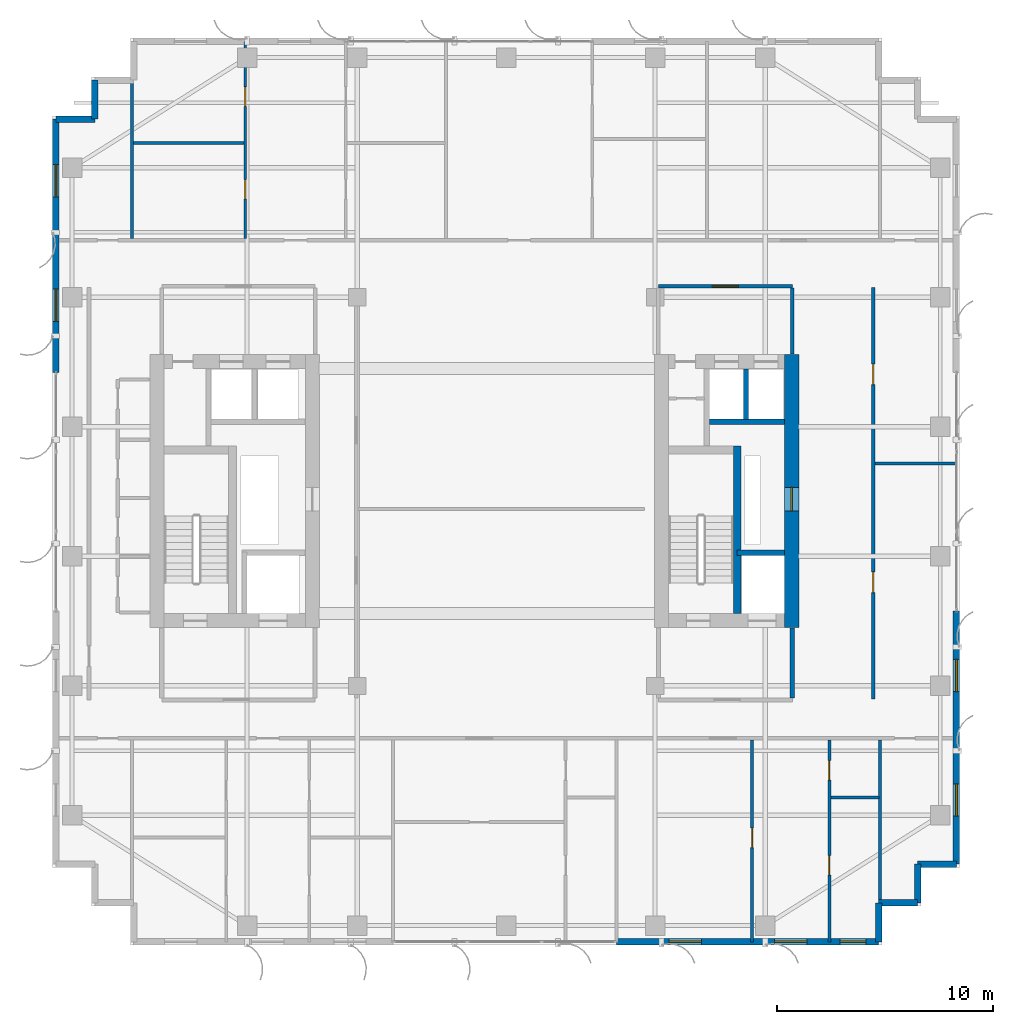
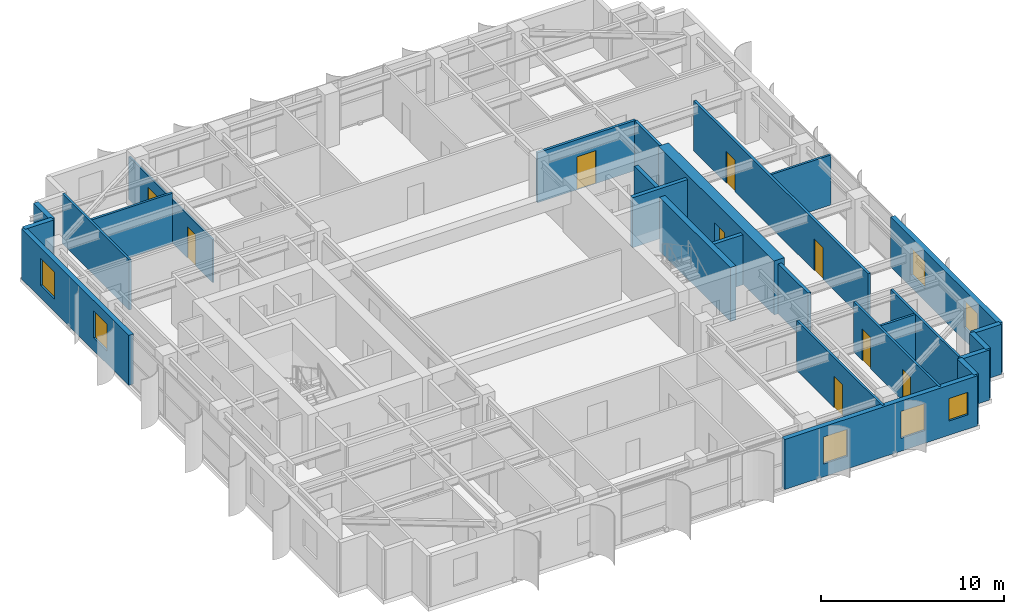
# One storey, part 17 of 22: 26 walls, 9 doors, 7 windows, 16 openings.
"""IFC4 building model written with IfcOpenShell, lengths in metres."""

from ifc_helpers import new_model, si_unit, direction, frame, frame_2d, origin, place, context, subcontext, project, spatial, rectangle, extrude, source, transform, mapped, material, layer, layer_set, type_object, element, fill, save


model = new_model("IFC4")

# Units and contexts
model_context = context("Model", 3, precision=1e-05, world=origin(), true_north=direction((0.0, 1.0)))
body_context = subcontext(model_context, "Body", "Model", "MODEL_VIEW")
ifc_project = project(units=[si_unit("LENGTHUNIT", "METRE"), si_unit("AREAUNIT", "SQUARE_METRE"), si_unit("VOLUMEUNIT", "CUBIC_METRE"), si_unit("PLANEANGLEUNIT", "RADIAN"), si_unit("MASSUNIT", "GRAM", prefix="KILO")], contexts=[model_context])

# Site, building, storey
site_placement = place(None, origin())
site = spatial("IfcSite", under=ifc_project, at=site_placement, CompositionType="ELEMENT")
building_placement = place(site_placement, origin())
building = spatial("IfcBuilding", under=site, at=building_placement, Name="Khoralis Quay Care Tower", CompositionType="ELEMENT")
storey_placement = place(building_placement, frame((0.0, 0.0, 180.89990234375)))
storey = spatial("IfcBuildingStorey", under=building, at=storey_placement, Name="L47", CompositionType="ELEMENT", Elevation=180.89990234375)

# Wall
ifc_material_1 = material(Name="Gypsum plasterboard on acoustic metal stud")
ifc_layer_1 = layer(ifc_material_1, 0.199951171875)
ifc_layer_set_1 = layer_set([ifc_layer_1], Name="Gypsum plasterboard on acoustic metal stud")
wall_type_1 = type_object("IfcWallType", Name="WL-COMP-200", PredefinedType="PARTITIONING", material=ifc_layer_set_1)
wall_1_placement = place(storey_placement, frame((37.25, 11.445068359375, 0.0), z_axis=(0.0, 0.0, 1.0), x_axis=(0.0, 1.0, 0.0)))
element("IfcWall", 1, at=wall_1_placement, inside=storey, type_object=wall_type_1, Name="L47 East Firefighting Lobby East Wall", PredefinedType="PARTITIONING", context=body_context, shape_type="SweptSolid", body=[
    extrude(rectangle(XDim=3.23486328125, YDim=0.199951171875, at=frame_2d((1.617431640625, 0.0))), origin(), (0.0, 0.0, 1.0), 3.340087890625),
])

# Wall, opening, door
ifc_material_2 = material(Name="Concrete C65/80", Category="concrete")
ifc_layer_2 = layer(ifc_material_2, 0.64990234375)
ifc_layer_set_2 = layer_set([ifc_layer_2], Name="Concrete C65/80")
wall_type_2 = type_object("IfcWallType", Name="WL-CORE-650", PredefinedType="SHEAR", material=ifc_layer_set_2)
wall_2_placement = place(storey_placement, frame((37.22509765625, 14.699951171875, 0.0), z_axis=(0.0, 0.0, 1.0), x_axis=(0.0, 1.0, 0.0)))
wall_2 = element("IfcWall", 2, at=wall_2_placement, inside=storey, type_object=wall_type_2, Name="L47 ECORE East Shear Wall", PredefinedType="SHEAR", context=body_context, shape_type="SweptSolid", body=[
    extrude(rectangle(XDim=12.650146484375, YDim=0.64990234375, at=frame_2d((6.3251953125, 0.0))), origin(), (0.0, 0.0, 1.0), 3.60009765625),
])
opening_1_placement = place(wall_2_placement, frame((5.39990234375, 0.0, 0.0)))
opening_1 = element("IfcOpeningElement", 3, at=opening_1_placement, cuts=wall_2, Name="Opening SD1", PredefinedType="OPENING", context=body_context, shape_type="SweptSolid", body=[
    extrude(rectangle(XDim=1.10009765625, YDim=2.199951171875, at=frame_2d((0.550048828125, 1.10009765625))), frame((0.0, 0.3349609375, 0.0), z_axis=(0.0, -1.0, 0.0), x_axis=(1.0, 0.0, 0.0)), (0.0, 0.0, 1.0), 0.669921875),
])
ifc_material_3 = material(Name="Fire-rated painted steel", Category="steel")
door_type_1 = type_object("IfcDoorType", Name="DR-STAIR-1100X2200", OperationType="NOTDEFINED", PredefinedType="DOOR", material=ifc_material_3)
shared_shape_1 = source(origin(), body_context, "Body", "SweptSolid", [
    extrude(rectangle(XDim=1.10009765625, YDim=2.199951171875, at=frame_2d((0.550048828125, 1.10009765625))), frame((0.0, 0.02490234375, 0.0), z_axis=(0.0, -1.0, 0.0), x_axis=(1.0, 0.0, 0.0)), (0.0, 0.0, 1.0), 0.050048828125),
])
door_1_placement = place(opening_1_placement, frame((1.10009765625, 0.0, 0.0), z_axis=(0.0, 0.0, 1.0), x_axis=(-1.0, 0.0, 0.0)))
door_1 = element("IfcDoor", 4, at=door_1_placement, inside=storey, type_object=door_type_1, Name="L47 East MEP Riser Door", OperationType="SINGLE_SWING_RIGHT", OverallHeight=2.199951171875, OverallWidth=1.10009765625, PredefinedType="DOOR", context=body_context, shape_type="MappedRepresentation", body=[
    mapped(shared_shape_1, transform((0.0, 0.0, 0.0), scale=1.0)),
])
fill(opening_1, door_1)

ifc_layer_3 = layer(ifc_material_1, 0.1650390625)
ifc_layer_set_3 = layer_set([ifc_layer_3], Name="Gypsum plasterboard on acoustic metal stud")
wall_type_3 = type_object("IfcWallType", Name="WL-CORR-165", PredefinedType="PARTITIONING", material=ifc_layer_set_3)
wall_3_placement = place(storey_placement, frame((31.050048828125, 30.5, 0.0), z_axis=(0.0, 0.0, 1.0), x_axis=(1.0, 0.0, 0.0)))
wall_3 = element("IfcWall", 5, at=wall_3_placement, inside=storey, type_object=wall_type_3, Name="L47 East Lift Lobby North Wall", PredefinedType="PARTITIONING", context=body_context, shape_type="SweptSolid", body=[
    extrude(rectangle(XDim=6.199951171875, YDim=0.1650390625, at=frame_2d((3.10009765625, 0.0))), origin(), (0.0, 0.0, 1.0), 3.340087890625),
])
opening_2_placement = place(wall_3_placement, frame((2.5, 0.0, 0.0)))
opening_2 = element("IfcOpeningElement", 6, at=opening_2_placement, cuts=wall_3, Name="Opening FD1", PredefinedType="OPENING", context=body_context, shape_type="SweptSolid", body=[
    extrude(rectangle(XDim=1.199951171875, YDim=2.199951171875, at=frame_2d((0.60009765625, 1.10009765625))), frame((0.0, 0.092529296875, 0.0), z_axis=(0.0, -1.0, 0.0), x_axis=(1.0, 0.0, 0.0)), (0.0, 0.0, 1.0), 0.18505859375),
])
door_type_2 = type_object("IfcDoorType", Name="DR-FFL-1200X2200", OperationType="NOTDEFINED", PredefinedType="DOOR", material=ifc_material_3)
shared_shape_2 = source(origin(), body_context, "Body", "SweptSolid", [
    extrude(rectangle(XDim=1.199951171875, YDim=2.199951171875, at=frame_2d((0.60009765625, 1.10009765625))), frame((0.0, 0.02490234375, 0.0), z_axis=(0.0, -1.0, 0.0), x_axis=(1.0, 0.0, 0.0)), (0.0, 0.0, 1.0), 0.050048828125),
])
door_2_placement = place(opening_2_placement, origin())
door_2 = element("IfcDoor", 7, at=door_2_placement, inside=storey, type_object=door_type_2, Name="L47 East Lift Lobby Double Door", OperationType="DOUBLE_DOOR_SINGLE_SWING", OverallHeight=2.199951171875, OverallWidth=1.199951171875, PredefinedType="DOOR", context=body_context, shape_type="MappedRepresentation", body=[
    mapped(shared_shape_2, transform((0.0, 0.0, 0.0), scale=1.0)),
])
fill(opening_2, door_2)

# Wall
wall_4_placement = place(storey_placement, frame((37.25, 27.3701171875, 0.0), z_axis=(0.0, 0.0, 1.0), x_axis=(0.0, 1.0, 0.0)))
element("IfcWall", 8, at=wall_4_placement, inside=storey, type_object=wall_type_3, Name="L47 East Lift Lobby East Wall", PredefinedType="PARTITIONING", context=body_context, shape_type="SweptSolid", body=[
    extrude(rectangle(XDim=3.052490234375, YDim=0.1650390625, at=frame_2d((1.5263671875, 0.0))), origin(), (0.0, 0.0, 1.0), 3.340087890625),
])

# Wall, openings, doors
wall_5_placement = place(storey_placement, frame((41.0, 11.39990234375, 0.0), z_axis=(0.0, 0.0, 1.0), x_axis=(0.0, 1.0, 0.0)))
wall_5 = element("IfcWall", 9, at=wall_5_placement, inside=storey, type_object=wall_type_3, Name="L47 East Gallery Wall", PredefinedType="PARTITIONING", context=body_context, shape_type="SweptSolid", body=[
    extrude(rectangle(XDim=19.050048828125, YDim=0.1650390625, at=frame_2d((9.52490234375, 0.0))), origin(), (0.0, 0.0, 1.0), 3.340087890625),
])
opening_3_placement = place(wall_5_placement, frame((4.925048828125, 0.0, 0.0)))
opening_3 = element("IfcOpeningElement", 10, at=opening_3_placement, cuts=wall_5, Name="Opening ID1", PredefinedType="OPENING", context=body_context, shape_type="SweptSolid", body=[
    extrude(rectangle(XDim=0.949951171875, YDim=2.10009765625, at=frame_2d((0.47509765625, 1.050048828125))), frame((0.0, 0.092529296875, 0.0), z_axis=(0.0, -1.0, 0.0), x_axis=(1.0, 0.0, 0.0)), (0.0, 0.0, 1.0), 0.18505859375),
])
opening_4_placement = place(wall_5_placement, frame((14.550048828125, 0.0, 0.0)))
opening_4 = element("IfcOpeningElement", 11, at=opening_4_placement, cuts=wall_5, Name="Opening ID1", PredefinedType="OPENING", context=body_context, shape_type="SweptSolid", body=[
    extrude(rectangle(XDim=0.949951171875, YDim=2.10009765625, at=frame_2d((0.47509765625, 1.050048828125))), frame((0.0, 0.092529296875, 0.0), z_axis=(0.0, -1.0, 0.0), x_axis=(1.0, 0.0, 0.0)), (0.0, 0.0, 1.0), 0.18505859375),
])
ifc_material_4 = material(Name="Acoustic hardwood timber", Category="wood")
door_type_3 = type_object("IfcDoorType", Name="DR-ROOM-950X2100", OperationType="NOTDEFINED", PredefinedType="DOOR", material=ifc_material_4)
shared_shape_3 = source(origin(), body_context, "Body", "SweptSolid", [
    extrude(rectangle(XDim=0.949951171875, YDim=2.10009765625, at=frame_2d((0.47509765625, 1.050048828125))), frame((0.0, 0.02490234375, 0.0), z_axis=(0.0, -1.0, 0.0), x_axis=(1.0, 0.0, 0.0)), (0.0, 0.0, 1.0), 0.050048828125),
])
door_3_placement = place(opening_3_placement, origin())
door_3 = element("IfcDoor", 12, at=door_3_placement, inside=storey, type_object=door_type_3, Name="L47 East Clinic Door", OperationType="SINGLE_SWING_LEFT", OverallHeight=2.10009765625, OverallWidth=0.949951171875, PredefinedType="DOOR", context=body_context, shape_type="MappedRepresentation", body=[
    mapped(shared_shape_3, transform((0.0, 0.0, 0.0), scale=1.0)),
])
fill(opening_3, door_3)
door_4_placement = place(opening_4_placement, origin())
door_4 = element("IfcDoor", 13, at=door_4_placement, inside=storey, type_object=door_type_3, Name="L47 East Lounge Door", OperationType="SINGLE_SWING_RIGHT", OverallHeight=2.10009765625, OverallWidth=0.949951171875, PredefinedType="DOOR", context=body_context, shape_type="MappedRepresentation", body=[
    mapped(shared_shape_3, transform((0.0, 0.0, 0.0), scale=1.0)),
])
fill(opening_4, door_4)

# Wall, openings, windows
ifc_material_5 = material(Name="Precast concrete C45/55", Category="concrete")
ifc_layer_4 = layer(ifc_material_5, 0.300048828125)
ifc_layer_set_4 = layer_set([ifc_layer_4], Name="Precast concrete C45/55")
wall_type_4 = type_object("IfcWallType", Name="WL-EXT-REF-300", PredefinedType="SOLIDWALL", material=ifc_layer_set_4)
wall_6_placement = place(storey_placement, frame((29.10009765625, 0.14990234375, 0.0), z_axis=(0.0, 0.0, 1.0), x_axis=(1.0, 0.0, 0.0)))
wall_6 = element("IfcWall", 14, at=wall_6_placement, inside=storey, type_object=wall_type_4, Name="L47 External Facade Wall WL-EXT-L47-P1-E0B", PredefinedType="SOLIDWALL", context=body_context, shape_type="SweptSolid", body=[
    extrude(rectangle(XDim=12.14990234375, YDim=0.300048828125, at=frame_2d((6.074951171875, 0.0))), origin(), (0.0, 0.0, 1.0), 3.340087890625),
])
opening_5_placement = place(wall_6_placement, frame((2.445068359375, 0.0, 0.85009765625)))
opening_5 = element("IfcOpeningElement", 15, at=opening_5_placement, cuts=wall_6, Name="Opening W3", PredefinedType="OPENING", context=body_context, shape_type="SweptSolid", body=[
    extrude(rectangle(XDim=1.5, YDim=1.800048828125, at=frame_2d((0.75, 0.89990234375))), frame((0.0, 0.16015625, 0.0), z_axis=(0.0, -1.0, 0.0), x_axis=(1.0, 0.0, 0.0)), (0.0, 0.0, 1.0), 0.320068359375),
])
opening_6_placement = place(wall_6_placement, frame((7.330078125, 0.0, 0.85009765625)))
opening_6 = element("IfcOpeningElement", 16, at=opening_6_placement, cuts=wall_6, Name="Opening W3", PredefinedType="OPENING", context=body_context, shape_type="SweptSolid", body=[
    extrude(rectangle(XDim=1.5, YDim=1.800048828125, at=frame_2d((0.75, 0.89990234375))), frame((0.0, 0.16015625, 0.0), z_axis=(0.0, -1.0, 0.0), x_axis=(1.0, 0.0, 0.0)), (0.0, 0.0, 1.0), 0.320068359375),
])
opening_7_placement = place(wall_6_placement, frame((10.360107421875, 0.0, 0.949951171875)))
opening_7 = element("IfcOpeningElement", 17, at=opening_7_placement, cuts=wall_6, Name="Opening W6", PredefinedType="OPENING", context=body_context, shape_type="SweptSolid", body=[
    extrude(rectangle(XDim=1.199951171875, YDim=1.5, at=frame_2d((0.60009765625, 0.75))), frame((0.0, 0.16015625, 0.0), z_axis=(0.0, -1.0, 0.0), x_axis=(1.0, 0.0, 0.0)), (0.0, 0.0, 1.0), 0.320068359375),
])
ifc_material_6 = material(Name="Low-E solar-control double glazing", Category="glass")
window_type_1 = type_object("IfcWindowType", Name="WN-CLIN-1500X1800", PartitioningType="SINGLE_PANEL", PredefinedType="WINDOW", material=ifc_material_6)
shared_shape_4 = source(origin(), body_context, "Body", "SweptSolid", [
    extrude(rectangle(XDim=1.5, YDim=1.800048828125, at=frame_2d((0.75, 0.89990234375))), frame((0.0, 0.030029296875, 0.0), z_axis=(0.0, -1.0, 0.0), x_axis=(1.0, 0.0, 0.0)), (0.0, 0.0, 1.0), 0.06005859375),
])
window_1_placement = place(opening_5_placement, origin())
window_1 = element("IfcWindow", 18, at=window_1_placement, inside=storey, type_object=window_type_1, Name="WN-L47-P1-E0B Facade Window 01", OverallHeight=1.800048828125, OverallWidth=1.5, PartitioningType="SINGLE_PANEL", PredefinedType="WINDOW", context=body_context, shape_type="MappedRepresentation", body=[
    mapped(shared_shape_4, transform((0.0, 0.0, 0.0), scale=1.0)),
])
fill(opening_5, window_1)
window_2_placement = place(opening_6_placement, origin())
window_2 = element("IfcWindow", 19, at=window_2_placement, inside=storey, type_object=window_type_1, Name="WN-L47-P1-E0B Facade Window 02", OverallHeight=1.800048828125, OverallWidth=1.5, PartitioningType="SINGLE_PANEL", PredefinedType="WINDOW", context=body_context, shape_type="MappedRepresentation", body=[
    mapped(shared_shape_4, transform((0.0, 0.0, 0.0), scale=1.0)),
])
fill(opening_6, window_2)
window_type_2 = type_object("IfcWindowType", Name="WN-SCH-1200X1500", PartitioningType="SINGLE_PANEL", PredefinedType="WINDOW", material=ifc_material_6)
shared_shape_5 = source(origin(), body_context, "Body", "SweptSolid", [
    extrude(rectangle(XDim=1.199951171875, YDim=1.5, at=frame_2d((0.60009765625, 0.75))), frame((0.0, 0.030029296875, 0.0), z_axis=(0.0, -1.0, 0.0), x_axis=(1.0, 0.0, 0.0)), (0.0, 0.0, 1.0), 0.06005859375),
])
window_3_placement = place(opening_7_placement, origin())
window_3 = element("IfcWindow", 20, at=window_3_placement, inside=storey, type_object=window_type_2, Name="WN-L47-P1-E0B Facade Window 03", OverallHeight=1.5, OverallWidth=1.199951171875, PartitioningType="SINGLE_PANEL", PredefinedType="WINDOW", context=body_context, shape_type="MappedRepresentation", body=[
    mapped(shared_shape_5, transform((0.0, 0.0, 0.0), scale=1.0)),
])
fill(opening_7, window_3)

# Walls
for number, where, z_axis, x_axis, name in (
    (21, (41.25, 0.14990234375, 0.0), (0.0, 0.0, 1.0), (0.0, 1.0, 0.0), "L47 External Facade Wall WL-EXT-L47-P1-C1"),
    (22, (41.25, 1.949951171875, 0.0), (0.0, 0.0, 1.0), (1.0, 0.0, 0.0), "L47 External Facade Wall WL-EXT-L47-P1-C2"),
    (23, (43.050048828125, 1.949951171875, 0.0), (0.0, 0.0, 1.0), (0.0, 1.0, 0.0), "L47 External Facade Wall WL-EXT-L47-P1-C3"),
    (24, (43.050048828125, 3.75, 0.0), (0.0, 0.0, 1.0), (1.0, 0.0, 0.0), "L47 External Facade Wall WL-EXT-L47-P1-C4"),
):
    element("IfcWall", number, at=place(storey_placement, frame(where, z_axis=z_axis, x_axis=x_axis)), inside=storey, type_object=wall_type_4, Name=name, PredefinedType="SOLIDWALL", context=body_context, shape_type="SweptSolid", body=[
        extrude(rectangle(XDim=1.800048828125, YDim=0.300048828125, at=frame_2d((0.89990234375, 0.0))), origin(), (0.0, 0.0, 1.0), 3.340087890625),
    ])

# Wall, openings, windows
wall_7_placement = place(storey_placement, frame((44.85009765625, 3.75, 0.0), z_axis=(0.0, 0.0, 1.0), x_axis=(0.0, 1.0, 0.0)))
wall_7 = element("IfcWall", 25, at=wall_7_placement, inside=storey, type_object=wall_type_4, Name="L47 External Facade Wall WL-EXT-L47-P1-E5A", PredefinedType="SOLIDWALL", context=body_context, shape_type="SweptSolid", body=[
    extrude(rectangle(XDim=11.72998046875, YDim=0.300048828125, at=frame_2d((5.864990234375, 0.0))), origin(), (0.0, 0.0, 1.0), 3.340087890625),
])
opening_8_placement = place(wall_7_placement, frame((2.215087890625, 0.0, 0.85009765625)))
opening_8 = element("IfcOpeningElement", 26, at=opening_8_placement, cuts=wall_7, Name="Opening W3", PredefinedType="OPENING", context=body_context, shape_type="SweptSolid", body=[
    extrude(rectangle(XDim=1.5, YDim=1.800048828125, at=frame_2d((0.75, 0.89990234375))), frame((0.0, 0.16015625, 0.0), z_axis=(0.0, -1.0, 0.0), x_axis=(1.0, 0.0, 0.0)), (0.0, 0.0, 1.0), 0.320068359375),
])
opening_9_placement = place(wall_7_placement, frame((7.97998046875, 0.0, 0.85009765625)))
opening_9 = element("IfcOpeningElement", 27, at=opening_9_placement, cuts=wall_7, Name="Opening W3", PredefinedType="OPENING", context=body_context, shape_type="SweptSolid", body=[
    extrude(rectangle(XDim=1.5, YDim=1.800048828125, at=frame_2d((0.75, 0.89990234375))), frame((0.0, 0.16015625, 0.0), z_axis=(0.0, -1.0, 0.0), x_axis=(1.0, 0.0, 0.0)), (0.0, 0.0, 1.0), 0.320068359375),
])
window_4_placement = place(opening_8_placement, origin())
window_4 = element("IfcWindow", 28, at=window_4_placement, inside=storey, type_object=window_type_1, Name="WN-L47-P1-E5A Facade Window 01", OverallHeight=1.800048828125, OverallWidth=1.5, PartitioningType="SINGLE_PANEL", PredefinedType="WINDOW", context=body_context, shape_type="MappedRepresentation", body=[
    mapped(shared_shape_4, transform((0.0, 0.0, 0.0), scale=1.0)),
])
fill(opening_8, window_4)
window_5_placement = place(opening_9_placement, origin())
window_5 = element("IfcWindow", 29, at=window_5_placement, inside=storey, type_object=window_type_1, Name="WN-L47-P1-E5A Facade Window 02", OverallHeight=1.800048828125, OverallWidth=1.5, PartitioningType="SINGLE_PANEL", PredefinedType="WINDOW", context=body_context, shape_type="MappedRepresentation", body=[
    mapped(shared_shape_4, transform((0.0, 0.0, 0.0), scale=1.0)),
])
fill(opening_9, window_5)

# Walls
for number, where, z_axis, x_axis, name in (
    (30, (4.949951171875, 40.050048828125, 0.0), (0.0, 0.0, 1.0), (0.0, -1.0, 0.0), "L47 External Facade Wall WL-EXT-L47-P1-C13"),
    (31, (4.949951171875, 38.25, 0.0), (0.0, 0.0, 1.0), (-1.0, 0.0, 0.0), "L47 External Facade Wall WL-EXT-L47-P1-C14"),
):
    element("IfcWall", number, at=place(storey_placement, frame(where, z_axis=z_axis, x_axis=x_axis)), inside=storey, type_object=wall_type_4, Name=name, PredefinedType="SOLIDWALL", context=body_context, shape_type="SweptSolid", body=[
        extrude(rectangle(XDim=1.800048828125, YDim=0.300048828125, at=frame_2d((0.89990234375, 0.0))), origin(), (0.0, 0.0, 1.0), 3.340087890625),
    ])

# Wall, openings, windows
wall_8_placement = place(storey_placement, frame((3.14990234375, 38.25, 0.0), z_axis=(0.0, 0.0, 1.0), x_axis=(0.0, -1.0, 0.0)))
wall_8 = element("IfcWall", 32, at=wall_8_placement, inside=storey, type_object=wall_type_4, Name="L47 External Facade Wall WL-EXT-L47-P1-E15A", PredefinedType="SOLIDWALL", context=body_context, shape_type="SweptSolid", body=[
    extrude(rectangle(XDim=11.72998046875, YDim=0.300048828125, at=frame_2d((5.864990234375, 0.0))), origin(), (0.0, 0.0, 1.0), 3.340087890625),
])
opening_10_placement = place(wall_8_placement, frame((2.10498046875, 0.0, 0.85009765625)))
opening_10 = element("IfcOpeningElement", 33, at=opening_10_placement, cuts=wall_8, Name="Opening W3", PredefinedType="OPENING", context=body_context, shape_type="SweptSolid", body=[
    extrude(rectangle(XDim=1.5, YDim=1.800048828125, at=frame_2d((0.75, 0.89990234375))), frame((0.0, 0.16015625, 0.0), z_axis=(0.0, -1.0, 0.0), x_axis=(1.0, 0.0, 0.0)), (0.0, 0.0, 1.0), 0.320068359375),
])
opening_11_placement = place(wall_8_placement, frame((7.8701171875, 0.0, 0.85009765625)))
opening_11 = element("IfcOpeningElement", 34, at=opening_11_placement, cuts=wall_8, Name="Opening W3", PredefinedType="OPENING", context=body_context, shape_type="SweptSolid", body=[
    extrude(rectangle(XDim=1.5, YDim=1.800048828125, at=frame_2d((0.75, 0.89990234375))), frame((0.0, 0.16015625, 0.0), z_axis=(0.0, -1.0, 0.0), x_axis=(1.0, 0.0, 0.0)), (0.0, 0.0, 1.0), 0.320068359375),
])
window_6_placement = place(opening_10_placement, origin())
window_6 = element("IfcWindow", 35, at=window_6_placement, inside=storey, type_object=window_type_1, Name="WN-L47-P1-E15A Facade Window 01", OverallHeight=1.800048828125, OverallWidth=1.5, PartitioningType="SINGLE_PANEL", PredefinedType="WINDOW", context=body_context, shape_type="MappedRepresentation", body=[
    mapped(shared_shape_4, transform((0.0, 0.0, 0.0), scale=1.0)),
])
fill(opening_10, window_6)
window_7_placement = place(opening_11_placement, origin())
window_7 = element("IfcWindow", 36, at=window_7_placement, inside=storey, type_object=window_type_1, Name="WN-L47-P1-E15A Facade Window 02", OverallHeight=1.800048828125, OverallWidth=1.5, PartitioningType="SINGLE_PANEL", PredefinedType="WINDOW", context=body_context, shape_type="MappedRepresentation", body=[
    mapped(shared_shape_4, transform((0.0, 0.0, 0.0), scale=1.0)),
])
fill(opening_11, window_7)

# Wall, openings, doors
ifc_layer_5 = layer(ifc_material_1, 0.114990234375)
ifc_layer_set_5 = layer_set([ifc_layer_5], Name="Gypsum plasterboard on acoustic metal stud")
wall_type_5 = type_object("IfcWallType", Name="WL-PART-115", PredefinedType="PARTITIONING", material=ifc_layer_set_5)
wall_9_placement = place(storey_placement, frame((11.9140625, 32.717529296875, 0.0), z_axis=(0.0, 0.0, 1.0), x_axis=(0.0, 1.0, 0.0)))
wall_9 = element("IfcWall", 37, at=wall_9_placement, inside=storey, type_object=wall_type_5, Name="L47 2BR 0 Left Wall", PredefinedType="PARTITIONING", context=body_context, shape_type="SweptSolid", body=[
    extrude(rectangle(XDim=9.137451171875, YDim=0.114990234375, at=frame_2d((4.56884765625, 0.0))), origin(), (0.0, 0.0, 1.0), 2.877197265625),
])
opening_12_placement = place(wall_9_placement, frame((6.1240234375, 0.0, 0.0)))
opening_12 = element("IfcOpeningElement", 38, at=opening_12_placement, cuts=wall_9, Name="Opening WD1", PredefinedType="OPENING", context=body_context, shape_type="SweptSolid", body=[
    extrude(rectangle(XDim=0.89990234375, YDim=2.10009765625, at=frame_2d((0.449951171875, 1.050048828125))), frame((0.0, 0.0673828125, 0.0), z_axis=(0.0, -1.0, 0.0), x_axis=(1.0, 0.0, 0.0)), (0.0, 0.0, 1.0), 0.135009765625),
])
opening_13_placement = place(wall_9_placement, frame((1.833984375, 0.0, 0.0)))
opening_13 = element("IfcOpeningElement", 39, at=opening_13_placement, cuts=wall_9, Name="Opening WD1", PredefinedType="OPENING", context=body_context, shape_type="SweptSolid", body=[
    extrude(rectangle(XDim=0.89990234375, YDim=2.10009765625, at=frame_2d((0.449951171875, 1.050048828125))), frame((0.0, 0.0673828125, 0.0), z_axis=(0.0, -1.0, 0.0), x_axis=(1.0, 0.0, 0.0)), (0.0, 0.0, 1.0), 0.135009765625),
])
door_type_4 = type_object("IfcDoorType", Name="DR-BATH-900X2100", OperationType="NOTDEFINED", PredefinedType="DOOR", material=ifc_material_4)
shared_shape_6 = source(origin(), body_context, "Body", "SweptSolid", [
    extrude(rectangle(XDim=0.89990234375, YDim=2.10009765625, at=frame_2d((0.449951171875, 1.050048828125))), frame((0.0, 0.02490234375, 0.0), z_axis=(0.0, -1.0, 0.0), x_axis=(1.0, 0.0, 0.0)), (0.0, 0.0, 1.0), 0.050048828125),
])
door_5_placement = place(opening_12_placement, origin())
door_5 = element("IfcDoor", 40, at=door_5_placement, inside=storey, type_object=door_type_4, Name="L47 2BR BD1 Door", OperationType="SINGLE_SWING_RIGHT", OverallHeight=2.10009765625, OverallWidth=0.89990234375, PredefinedType="DOOR", context=body_context, shape_type="MappedRepresentation", body=[
    mapped(shared_shape_6, transform((0.0, 0.0, 0.0), scale=1.0)),
])
fill(opening_12, door_5)
door_6_placement = place(opening_13_placement, origin())
door_6 = element("IfcDoor", 41, at=door_6_placement, inside=storey, type_object=door_type_4, Name="L47 2BR BTH Door", OperationType="SINGLE_SWING_LEFT", OverallHeight=2.10009765625, OverallWidth=0.89990234375, PredefinedType="DOOR", context=body_context, shape_type="MappedRepresentation", body=[
    mapped(shared_shape_6, transform((0.0, 0.0, 0.0), scale=1.0)),
])
fill(opening_13, door_6)

ifc_material_7 = material(Name="Moisture-resistant gypsum and ceramic tile")
ifc_layer_6 = layer(ifc_material_7, 0.280029296875)
ifc_layer_set_6 = layer_set([ifc_layer_6], Name="Moisture-resistant gypsum and ceramic tile")
wall_type_6 = type_object("IfcWallType", Name="WL-PLUMB-280", PredefinedType="PLUMBINGWALL", material=ifc_layer_set_6)
wall_10_placement = place(storey_placement, frame((38.969970703125, 0.14501953125, 0.0), z_axis=(0.0, 0.0, 1.0), x_axis=(0.0, 1.0, 0.0)))
wall_10 = element("IfcWall", 42, at=wall_10_placement, inside=storey, type_object=wall_type_6, Name="L47 Care Suite 2 En-Suite Wall V", PredefinedType="PLUMBINGWALL", context=body_context, shape_type="SweptSolid", body=[
    extrude(rectangle(XDim=9.357421875, YDim=0.139892578125, at=frame_2d((4.6787109375, 0.0))), origin(), (0.0, 0.0, 1.0), 3.340087890625),
])
opening_14_placement = place(wall_10_placement, frame((7.4951171875, 0.0, 0.0)))
opening_14 = element("IfcOpeningElement", 43, at=opening_14_placement, cuts=wall_10, Name="Opening WD1", PredefinedType="OPENING", context=body_context, shape_type="SweptSolid", body=[
    extrude(rectangle(XDim=0.89990234375, YDim=2.10009765625, at=frame_2d((0.449951171875, 1.050048828125))), frame((0.0, 0.080078125, 0.0), z_axis=(0.0, -1.0, 0.0), x_axis=(1.0, 0.0, 0.0)), (0.0, 0.0, 1.0), 0.159912109375),
])
opening_15_placement = place(wall_10_placement, frame((3.094970703125, 0.0, 0.0)))
opening_15 = element("IfcOpeningElement", 44, at=opening_15_placement, cuts=wall_10, Name="Opening WD1", PredefinedType="OPENING", context=body_context, shape_type="SweptSolid", body=[
    extrude(rectangle(XDim=0.89990234375, YDim=2.10009765625, at=frame_2d((0.449951171875, 1.050048828125))), frame((0.0, 0.080078125, 0.0), z_axis=(0.0, -1.0, 0.0), x_axis=(1.0, 0.0, 0.0)), (0.0, 0.0, 1.0), 0.159912109375),
])
door_7_placement = place(opening_14_placement, frame((0.89990234375, 0.0, 0.0), z_axis=(0.0, 0.0, 1.0), x_axis=(-1.0, 0.0, 0.0)))
door_7 = element("IfcDoor", 45, at=door_7_placement, inside=storey, type_object=door_type_4, Name="L47 Care CENS Door", OperationType="SINGLE_SWING_RIGHT", OverallHeight=2.10009765625, OverallWidth=0.89990234375, PredefinedType="DOOR", context=body_context, shape_type="MappedRepresentation", body=[
    mapped(shared_shape_6, transform((0.0, 0.0, 0.0), scale=1.0)),
])
fill(opening_14, door_7)
door_8_placement = place(opening_15_placement, frame((0.89990234375, 0.0, 0.0), z_axis=(0.0, 0.0, 1.0), x_axis=(-1.0, 0.0, 0.0)))
door_8 = element("IfcDoor", 46, at=door_8_placement, inside=storey, type_object=door_type_4, Name="L47 Care CSIT Door", OperationType="SINGLE_SWING_LEFT", OverallHeight=2.10009765625, OverallWidth=0.89990234375, PredefinedType="DOOR", context=body_context, shape_type="MappedRepresentation", body=[
    mapped(shared_shape_6, transform((0.0, 0.0, 0.0), scale=1.0)),
])
fill(opening_15, door_8)

# Walls
wall_11_placement = place(storey_placement, frame((39.034912109375, 6.830078125, 0.0), z_axis=(0.0, 0.0, 1.0), x_axis=(1.0, 0.0, 0.0)))
element("IfcWall", 47, at=wall_11_placement, inside=storey, type_object=wall_type_6, Name="L47 Care Suite 2 En-Suite Wall H", PredefinedType="PLUMBINGWALL", context=body_context, shape_type="SweptSolid", body=[
    extrude(rectangle(XDim=2.219970703125, YDim=0.139892578125, at=frame_2d((1.10986328125, 0.0))), origin(), (0.0, 0.0, 1.0), 3.340087890625),
])
wall_12_placement = place(storey_placement, frame((6.7451171875, 37.133056640625, 0.0), z_axis=(0.0, 0.0, 1.0), x_axis=(1.0, 0.0, 0.0)))
element("IfcWall", 48, at=wall_12_placement, inside=storey, type_object=wall_type_6, Name="L47 2BR 0 Left Split", PredefinedType="PLUMBINGWALL", context=body_context, shape_type="SweptSolid", body=[
    extrude(rectangle(XDim=5.116455078125, YDim=0.139892578125, at=frame_2d((2.55810546875, 0.0))), origin(), (0.0, 0.0, 1.0), 3.340087890625),
])
ifc_material_8 = material(Name="Concrete C40/50", Category="concrete")
ifc_layer_7 = layer(ifc_material_8, 0.35009765625)
ifc_layer_set_7 = layer_set([ifc_layer_7], Name="Concrete C40/50")
wall_type_7 = type_object("IfcWallType", Name="WL-SC-CORE-350", PredefinedType="SHEAR", material=ifc_layer_set_7)
wall_13_placement = place(storey_placement, frame((34.695068359375, 15.35009765625, 0.0), z_axis=(0.0, 0.0, 1.0), x_axis=(0.0, 1.0, 0.0)))
element("IfcWall", 49, at=wall_13_placement, inside=storey, type_object=wall_type_7, Name="L47 Stair ST-T2 Shear Baffle Wall East", PredefinedType="SHEAR", context=body_context, shape_type="SweptSolid", body=[
    extrude(rectangle(XDim=7.75, YDim=0.35009765625, at=frame_2d((3.875, 0.0))), origin(), (0.0, 0.0, 1.0), 3.60009765625),
])
ifc_layer_8 = layer(ifc_material_1, 0.239990234375)
ifc_layer_set_8 = layer_set([ifc_layer_8], Name="Gypsum plasterboard on acoustic metal stud")
wall_type_8 = type_object("IfcWallType", Name="WL-SHAFT-240", PredefinedType="PARTITIONING", material=ifc_layer_set_8)
wall_14_placement = place(storey_placement, frame((34.679931640625, 18.169921875, 0.0), z_axis=(0.0, 0.0, 1.0), x_axis=(1.0, 0.0, 0.0)))
element("IfcWall", 50, at=wall_14_placement, inside=storey, type_object=wall_type_8, Name="L47 FFL-2 Shaft Wall North", PredefinedType="PARTITIONING", context=body_context, shape_type="SweptSolid", body=[
    extrude(rectangle(XDim=2.199951171875, YDim=0.239990234375, at=frame_2d((1.10009765625, 0.0))), origin(), (0.0, 0.0, 1.0), 3.340087890625),
])
wall_15_placement = place(storey_placement, frame((33.405029296875, 24.22998046875, 0.0), z_axis=(0.0, 0.0, 1.0), x_axis=(1.0, 0.0, 0.0)))
element("IfcWall", 51, at=wall_15_placement, inside=storey, type_object=wall_type_8, Name="L47 Active Shaft South Wall East", PredefinedType="PARTITIONING", context=body_context, shape_type="SweptSolid", body=[
    extrude(rectangle(XDim=3.474853515625, YDim=0.239990234375, at=frame_2d((1.7373046875, 0.0))), origin(), (0.0, 0.0, 1.0), 3.340087890625),
])
wall_16_placement = place(storey_placement, frame((35.110107421875, 24.344970703125, 0.0), z_axis=(0.0, 0.0, 1.0), x_axis=(0.0, 1.0, 0.0)))
element("IfcWall", 52, at=wall_16_placement, inside=storey, type_object=wall_type_8, Name="L47 East Shaft Divider 2", PredefinedType="PARTITIONING", context=body_context, shape_type="SweptSolid", body=[
    extrude(rectangle(XDim=2.3349609375, YDim=0.239990234375, at=frame_2d((1.16748046875, 0.0))), origin(), (0.0, 0.0, 1.0), 3.340087890625),
])
ifc_layer_9 = layer(ifc_material_1, 0.139892578125)
ifc_layer_set_9 = layer_set([ifc_layer_9], Name="Gypsum plasterboard on acoustic metal stud")
wall_type_9 = type_object("IfcWallType", Name="WL-UNIT-140", PredefinedType="PARTITIONING", material=ifc_layer_set_9)
wall_17_placement = place(storey_placement, frame((41.077392578125, 22.300048828125, 0.0), z_axis=(0.0, 0.0, 1.0), x_axis=(1.0, 0.0, 0.0)))
element("IfcWall", 53, at=wall_17_placement, inside=storey, type_object=wall_type_9, Name="L47 East Mid Split", PredefinedType="PARTITIONING", context=body_context, shape_type="SweptSolid", body=[
    extrude(rectangle(XDim=3.777587890625, YDim=0.139892578125, at=frame_2d((1.888671875, 0.0))), origin(), (0.0, 0.0, 1.0), 3.340087890625),
])
wall_18_placement = place(storey_placement, frame((41.320068359375, 1.945068359375, 0.0), z_axis=(0.0, 0.0, 1.0), x_axis=(0.0, 1.0, 0.0)))
element("IfcWall", 54, at=wall_18_placement, inside=storey, type_object=wall_type_9, Name="L47 SB Demising Wall 3", PredefinedType="PARTITIONING", context=body_context, shape_type="SweptSolid", body=[
    extrude(rectangle(XDim=7.557373046875, YDim=0.139892578125, at=frame_2d((3.77880859375, 0.0))), origin(), (0.0, 0.0, 1.0), 3.340087890625),
])
wall_19_placement = place(storey_placement, frame((6.679931640625, 32.717529296875, 0.0), z_axis=(0.0, 0.0, 1.0), x_axis=(0.0, 1.0, 0.0)))
element("IfcWall", 55, at=wall_19_placement, inside=storey, type_object=wall_type_9, Name="L47 NB Demising Wall 0", PredefinedType="PARTITIONING", context=body_context, shape_type="SweptSolid", body=[
    extrude(rectangle(XDim=7.33740234375, YDim=0.139892578125, at=frame_2d((3.668701171875, 0.0))), origin(), (0.0, 0.0, 1.0), 3.340087890625),
])

# Wall, opening, door
wall_20_placement = place(storey_placement, frame((35.389892578125, 0.14501953125, 0.0), z_axis=(0.0, 0.0, 1.0), x_axis=(0.0, 1.0, 0.0)))
wall_20 = element("IfcWall", 56, at=wall_20_placement, inside=storey, type_object=wall_type_9, Name="Skilled Care Bedroom L47-SB2 Sub-Partition", PredefinedType="PARTITIONING", context=body_context, shape_type="SweptSolid", body=[
    extrude(rectangle(XDim=9.357421875, YDim=0.139892578125, at=frame_2d((4.6787109375, 0.0))), origin(), (0.0, 0.0, 1.0), 3.340087890625),
])
opening_16_placement = place(wall_20_placement, frame((4.364990234375, 0.0, 0.0)))
opening_16 = element("IfcOpeningElement", 57, at=opening_16_placement, cuts=wall_20, Name="Opening WD1", PredefinedType="OPENING", context=body_context, shape_type="SweptSolid", body=[
    extrude(rectangle(XDim=0.89990234375, YDim=2.10009765625, at=frame_2d((0.449951171875, 1.050048828125))), frame((0.0, 0.080078125, 0.0), z_axis=(0.0, -1.0, 0.0), x_axis=(1.0, 0.0, 0.0)), (0.0, 0.0, 1.0), 0.159912109375),
])
door_9_placement = place(opening_16_placement, origin())
door_9 = element("IfcDoor", 58, at=door_9_placement, inside=storey, type_object=door_type_4, Name="Private Study & Reading Alcove ARE2 Door", OperationType="SINGLE_SWING_LEFT", OverallHeight=2.10009765625, OverallWidth=0.89990234375, PredefinedType="DOOR", context=body_context, shape_type="MappedRepresentation", body=[
    mapped(shared_shape_6, transform((0.0, 0.0, 0.0), scale=1.0)),
])
fill(opening_16, door_9)

save(model, "model.ifc")
